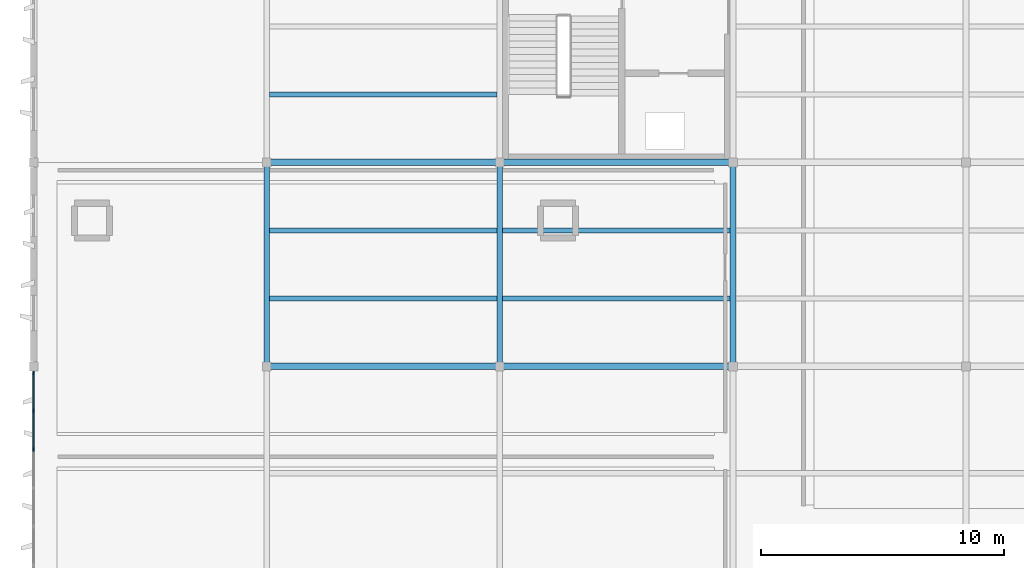
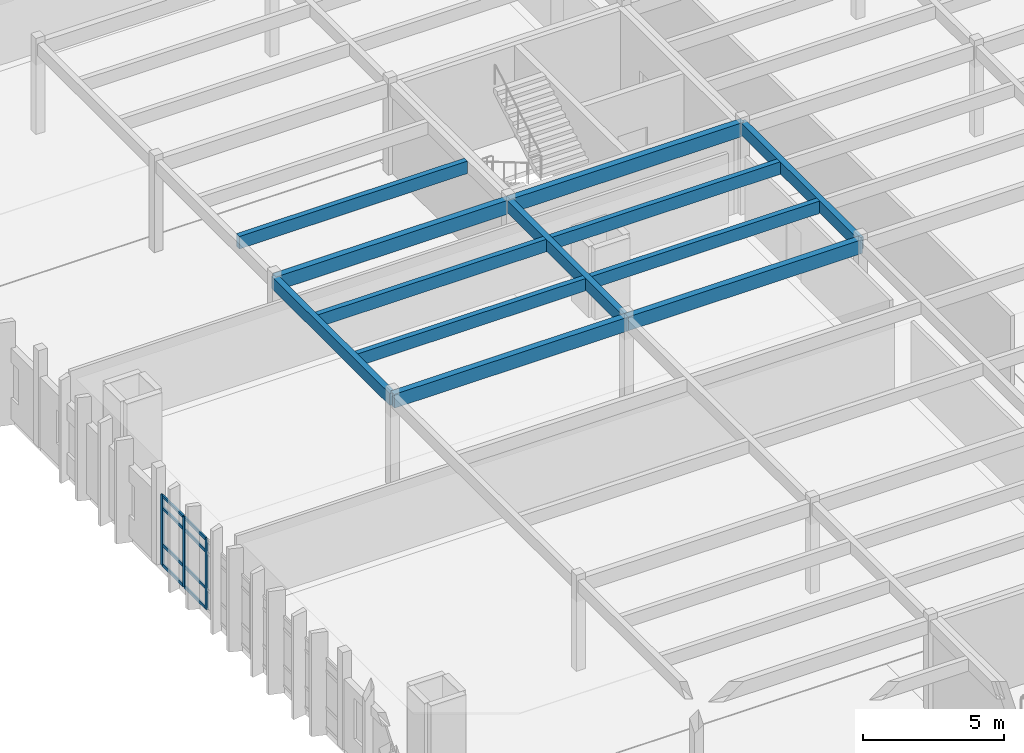
# One storey, part 9 of 61: 12 beams, 11 members, 1 element without a shape of its own.
"""IFC4 building model written with IfcOpenShell, lengths in metres."""

from ifc_helpers import new_model, si_unit, direction, frame, origin, origin_2d, place, context, subcontext, project, spatial, rectangle, extrude, material, layer, layer_set, material_profile, profile_set, type_object, element, aggregate, save


model = new_model("IFC4")

# Units and contexts
model_context = context("Model", 3, precision=1e-05, world=origin(), true_north=direction((0.0, 1.0)))
body_context = subcontext(model_context, "Body", "Model", "MODEL_VIEW")
ifc_project = project(units=[si_unit("LENGTHUNIT", "METRE"), si_unit("AREAUNIT", "SQUARE_METRE"), si_unit("VOLUMEUNIT", "CUBIC_METRE"), si_unit("PLANEANGLEUNIT", "RADIAN"), si_unit("MASSUNIT", "GRAM", prefix="KILO")], contexts=[model_context])

# Site, building, storey
site_placement = place(None, origin())
site = spatial("IfcSite", under=ifc_project, at=site_placement, CompositionType="ELEMENT")
building_placement = place(site_placement, origin())
building = spatial("IfcBuilding", under=site, at=building_placement, Name="Kolvemor Railside Polytechnic", CompositionType="ELEMENT")
storey_placement = place(building_placement, frame((0.0, 0.0, 10.199951171875)))
storey = spatial("IfcBuildingStorey", under=building, at=storey_placement, Name="L02", CompositionType="ELEMENT", Elevation=10.199951171875)

# Beams
ifc_material_1 = material(Name="Glulam GL28h", Category="wood")
ifc_material_profile_1 = material_profile(ifc_material_1, rectangle(XDim=0.264892578125, YDim=0.60009765625, at=origin_2d()), Name="GL265x600")
ifc_profile_set_1 = profile_set([ifc_material_profile_1], Name="Glulam GL28h")
beam_type_1 = type_object("IfcBeamType", Name="BM-GL-GIRD7", PredefinedType="BEAM", material=ifc_profile_set_1)
beam_1_placement = place(storey_placement, frame((9.60009765625, 51.60009765625, 3.650146484375), z_axis=(1.0, 0.0, 0.0), x_axis=(0.0, 1.0, 0.0)))
element("IfcBeam", 1, at=beam_1_placement, inside=storey, type_object=beam_type_1, Name="Primary Girder L03-GX 1113", PredefinedType="BEAM", context=body_context, shape_type="SweptSolid", body=[
    extrude(rectangle(XDim=0.264892578125, YDim=0.60009765625, at=origin_2d()), origin(), (0.0, 0.0, 1.0), 9.599853515625),
])
beam_2_placement = place(storey_placement, frame((19.199951171875, 51.60009765625, 3.650146484375), z_axis=(1.0, 0.0, 0.0), x_axis=(0.0, 1.0, 0.0)))
element("IfcBeam", 2, at=beam_2_placement, inside=storey, type_object=beam_type_1, Name="Primary Girder L03-GX 1114", PredefinedType="BEAM", context=body_context, shape_type="SweptSolid", body=[
    extrude(rectangle(XDim=0.264892578125, YDim=0.60009765625, at=origin_2d()), origin(), (0.0, 0.0, 1.0), 9.60009765625),
])
beam_3_placement = place(storey_placement, frame((9.60009765625, 60.0, 3.650146484375), z_axis=(1.0, 0.0, 0.0), x_axis=(0.0, 1.0, 0.0)))
element("IfcBeam", 3, at=beam_3_placement, inside=storey, type_object=beam_type_1, Name="Primary Girder L03-GX 1117", PredefinedType="BEAM", context=body_context, shape_type="SweptSolid", body=[
    extrude(rectangle(XDim=0.264892578125, YDim=0.60009765625, at=origin_2d()), origin(), (0.0, 0.0, 1.0), 9.599853515625),
])
beam_4_placement = place(storey_placement, frame((19.199951171875, 60.0, 3.650146484375), z_axis=(1.0, 0.0, 0.0), x_axis=(0.0, 1.0, 0.0)))
element("IfcBeam", 4, at=beam_4_placement, inside=storey, type_object=beam_type_1, Name="Primary Girder L03-GX 1118", PredefinedType="BEAM", context=body_context, shape_type="SweptSolid", body=[
    extrude(rectangle(XDim=0.264892578125, YDim=0.60009765625, at=origin_2d()), origin(), (0.0, 0.0, 1.0), 9.60009765625),
])
ifc_material_2 = material(Name="Glulam GL28h", Category="wood")
ifc_material_profile_2 = material_profile(ifc_material_2, rectangle(XDim=0.239990234375, YDim=0.52001953125, at=origin_2d()), Name="GL240x520")
ifc_profile_set_2 = profile_set([ifc_material_profile_2], Name="Glulam GL28h")
beam_type_2 = type_object("IfcBeamType", Name="BM-GL-GIRD8", PredefinedType="BEAM", material=ifc_profile_set_2)
for number, where, z_axis, x_axis, name in (
    (5, (9.60009765625, 51.60009765625, 3.68994140625), (0.0, 1.0, 0.0), (-1.0, 0.0, 0.0), "Primary Girder L03-GY 1133"),
    (6, (19.199951171875, 51.60009765625, 3.68994140625), (0.0, 1.0, 0.0), (-1.0, 0.0, 0.0), "Primary Girder L03-GY 1140"),
    (7, (28.800048828125, 51.60009765625, 3.68994140625), (0.0, 1.0, 0.0), (-1.0, 0.0, 0.0), "Primary Girder L03-GY 1147"),
):
    element("IfcBeam", number, at=place(storey_placement, frame(where, z_axis=z_axis, x_axis=x_axis)), inside=storey, type_object=beam_type_2, Name=name, PredefinedType="BEAM", context=body_context, shape_type="SweptSolid", body=[
        extrude(rectangle(XDim=0.239990234375, YDim=0.52001953125, at=origin_2d()), origin(), (0.0, 0.0, 1.0), 8.39990234375),
    ])
ifc_material_3 = material(Name="Glulam GL28h", Category="wood")
ifc_material_profile_3 = material_profile(ifc_material_3, rectangle(XDim=0.215087890625, YDim=0.5400390625, at=origin_2d()), Name="GL215x540")
ifc_profile_set_3 = profile_set([ifc_material_profile_3], Name="Glulam GL28h")
beam_type_3 = type_object("IfcBeamType", Name="BM-GL-JST1", PredefinedType="JOIST", material=ifc_profile_set_3)
for number, where, z_axis, x_axis, name in (
    (8, (9.719970703125, 54.39990234375, 3.679931640625), (1.0, 0.0, 0.0), (0.0, 1.0, 0.0), "Floor Joist L03-J1172"),
    (9, (9.719970703125, 57.199951171875, 3.679931640625), (1.0, 0.0, 0.0), (0.0, 1.0, 0.0), "Floor Joist L03-J1173"),
    (10, (9.719970703125, 62.800048828125, 3.679931640625), (1.0, 0.0, 0.0), (0.0, 1.0, 0.0), "Floor Joist L03-J1174"),
):
    element("IfcBeam", number, at=place(storey_placement, frame(where, z_axis=z_axis, x_axis=x_axis)), inside=storey, type_object=beam_type_3, Name=name, PredefinedType="JOIST", context=body_context, shape_type="SweptSolid", body=[
        extrude(rectangle(XDim=0.215087890625, YDim=0.5400390625, at=origin_2d()), origin(), (0.0, 0.0, 1.0), 9.360107421875),
    ])
for number, where, z_axis, x_axis, name in (
    (11, (19.320068359375, 54.39990234375, 3.679931640625), (1.0, 0.0, 0.0), (0.0, 1.0, 0.0), "Floor Joist L03-J1184"),
    (12, (19.320068359375, 57.199951171875, 3.679931640625), (1.0, 0.0, 0.0), (0.0, 1.0, 0.0), "Floor Joist L03-J1185"),
):
    element("IfcBeam", number, at=place(storey_placement, frame(where, z_axis=z_axis, x_axis=x_axis)), inside=storey, type_object=beam_type_3, Name=name, PredefinedType="JOIST", context=body_context, shape_type="SweptSolid", body=[
        extrude(rectangle(XDim=0.215087890625, YDim=0.5400390625, at=origin_2d()), origin(), (0.0, 0.0, 1.0), 9.35986328125),
    ])

# Curtain wall, members
ifc_material_4 = material(Name="Anodised marine aluminium and laminated low-E glass", Category="aluminium")
ifc_layer = layer(ifc_material_4, 0.179931640625, Name="CW-UNIT-STD")
ifc_layer_set = layer_set([ifc_layer], Name="Anodised marine aluminium and laminated low-E glass")
curtain_wall_type = type_object("IfcCurtainWallType", Name="CW-UNIT-STD", PredefinedType="USERDEFINED", material=ifc_layer_set)
curtain_wall_placement = place(storey_placement, origin())
curtain_wall = element("IfcCurtainWall", 13, at=curtain_wall_placement, inside=storey, type_object=curtain_wall_type, Name="Curtain Wall L02-054", ObjectType="UNITISED CURTAIN WALL", PredefinedType="USERDEFINED")
ifc_material_5 = material(Name="Anodised marine aluminium 6063-T6", Category="aluminium")
ifc_material_profile_4 = material_profile(ifc_material_5, rectangle(XDim=0.06494140625, YDim=0.14990234375, at=origin_2d()), Name="CW-MUL-65x150")
ifc_profile_set_4 = profile_set([ifc_material_profile_4], Name="Anodised marine aluminium 6063-T6")
member_type_1 = type_object("IfcMemberType", Name="CWM-65x150", PredefinedType="MULLION", material=ifc_profile_set_4)
member_1_placement = place(storey_placement, frame((0.0, 51.327392578125, 0.0), z_axis=(0.0, 0.0, 1.0), x_axis=(1.0, 0.0, 0.0)))
member_1 = element("IfcMember", 14, at=member_1_placement, type_object=member_type_1, Name="CW-STD mullion 1", PredefinedType="MULLION", context=body_context, shape_type="SweptSolid", body=[
    extrude(rectangle(XDim=0.06494140625, YDim=0.14990234375, at=origin_2d()), origin(), (0.0, 0.0, 1.0), 3.050048828125),
])
member_2_placement = place(storey_placement, frame((0.0, 49.77001953125, 0.0), z_axis=(0.0, 0.0, 1.0), x_axis=(1.0, 0.0, 0.0)))
member_2 = element("IfcMember", 15, at=member_2_placement, type_object=member_type_1, Name="CW-STD mullion 2", PredefinedType="MULLION", context=body_context, shape_type="SweptSolid", body=[
    extrude(rectangle(XDim=0.06494140625, YDim=0.14990234375, at=origin_2d()), origin(), (0.0, 0.0, 1.0), 3.050048828125),
])
member_3_placement = place(storey_placement, frame((0.0, 48.179931640625, 0.0), z_axis=(0.0, 0.0, 1.0), x_axis=(1.0, 0.0, 0.0)))
member_3 = element("IfcMember", 16, at=member_3_placement, type_object=member_type_1, Name="CW-STD mullion 3", PredefinedType="MULLION", context=body_context, shape_type="SweptSolid", body=[
    extrude(rectangle(XDim=0.06494140625, YDim=0.14990234375, at=origin_2d()), origin(), (0.0, 0.0, 1.0), 3.050048828125),
])
ifc_material_6 = material(Name="Anodised marine aluminium 6063-T6", Category="aluminium")
ifc_material_profile_5 = material_profile(ifc_material_6, rectangle(XDim=0.06494140625, YDim=0.1201171875, at=origin_2d()), Name="CW-TRN-65x120")
ifc_profile_set_5 = profile_set([ifc_material_profile_5], Name="Anodised marine aluminium 6063-T6")
member_type_2 = type_object("IfcMemberType", Name="CWT-65x120", PredefinedType="USERDEFINED", material=ifc_profile_set_5)
member_4_placement = place(storey_placement, frame((0.0, 51.294921875, 0.032470703125), z_axis=(0.0, -1.0, 0.0), x_axis=(1.0, 0.0, 0.0)))
member_4 = element("IfcMember", 17, at=member_4_placement, type_object=member_type_2, Name="CW-STD transom 1.1", ObjectType="TRANSOM", PredefinedType="USERDEFINED", context=body_context, shape_type="SweptSolid", body=[
    extrude(rectangle(XDim=0.06494140625, YDim=0.1201171875, at=origin_2d()), origin(), (0.0, 0.0, 1.0), 1.492431640625),
])
member_5_placement = place(storey_placement, frame((0.0, 51.294921875, 0.900146484375), z_axis=(0.0, -1.0, 0.0), x_axis=(1.0, 0.0, 0.0)))
member_5 = element("IfcMember", 18, at=member_5_placement, type_object=member_type_2, Name="CW-STD transom 1.2", ObjectType="TRANSOM", PredefinedType="USERDEFINED", context=body_context, shape_type="SweptSolid", body=[
    extrude(rectangle(XDim=0.06494140625, YDim=0.1201171875, at=origin_2d()), origin(), (0.0, 0.0, 1.0), 1.492431640625),
])
member_6_placement = place(storey_placement, frame((0.0, 51.294921875, 2.5), z_axis=(0.0, -1.0, 0.0), x_axis=(1.0, 0.0, 0.0)))
member_6 = element("IfcMember", 19, at=member_6_placement, type_object=member_type_2, Name="CW-STD transom 1.3", ObjectType="TRANSOM", PredefinedType="USERDEFINED", context=body_context, shape_type="SweptSolid", body=[
    extrude(rectangle(XDim=0.06494140625, YDim=0.1201171875, at=origin_2d()), origin(), (0.0, 0.0, 1.0), 1.492431640625),
])
member_7_placement = place(storey_placement, frame((0.0, 51.294921875, 3.017578125), z_axis=(0.0, -1.0, 0.0), x_axis=(1.0, 0.0, 0.0)))
member_7 = element("IfcMember", 20, at=member_7_placement, type_object=member_type_2, Name="CW-STD transom 1.4", ObjectType="TRANSOM", PredefinedType="USERDEFINED", context=body_context, shape_type="SweptSolid", body=[
    extrude(rectangle(XDim=0.06494140625, YDim=0.1201171875, at=origin_2d()), origin(), (0.0, 0.0, 1.0), 1.492431640625),
])
member_8_placement = place(storey_placement, frame((0.0, 49.737548828125, 0.032470703125), z_axis=(0.0, -1.0, 0.0), x_axis=(1.0, 0.0, 0.0)))
member_8 = element("IfcMember", 21, at=member_8_placement, type_object=member_type_2, Name="CW-STD transom 2.1", ObjectType="TRANSOM", PredefinedType="USERDEFINED", context=body_context, shape_type="SweptSolid", body=[
    extrude(rectangle(XDim=0.06494140625, YDim=0.1201171875, at=origin_2d()), origin(), (0.0, 0.0, 1.0), 1.525146484375),
])
member_9_placement = place(storey_placement, frame((0.0, 49.737548828125, 0.900146484375), z_axis=(0.0, -1.0, 0.0), x_axis=(1.0, 0.0, 0.0)))
member_9 = element("IfcMember", 22, at=member_9_placement, type_object=member_type_2, Name="CW-STD transom 2.2", ObjectType="TRANSOM", PredefinedType="USERDEFINED", context=body_context, shape_type="SweptSolid", body=[
    extrude(rectangle(XDim=0.06494140625, YDim=0.1201171875, at=origin_2d()), origin(), (0.0, 0.0, 1.0), 1.525146484375),
])
member_10_placement = place(storey_placement, frame((0.0, 49.737548828125, 2.5), z_axis=(0.0, -1.0, 0.0), x_axis=(1.0, 0.0, 0.0)))
member_10 = element("IfcMember", 23, at=member_10_placement, type_object=member_type_2, Name="CW-STD transom 2.3", ObjectType="TRANSOM", PredefinedType="USERDEFINED", context=body_context, shape_type="SweptSolid", body=[
    extrude(rectangle(XDim=0.06494140625, YDim=0.1201171875, at=origin_2d()), origin(), (0.0, 0.0, 1.0), 1.525146484375),
])
member_11_placement = place(storey_placement, frame((0.0, 49.737548828125, 3.017578125), z_axis=(0.0, -1.0, 0.0), x_axis=(1.0, 0.0, 0.0)))
member_11 = element("IfcMember", 24, at=member_11_placement, type_object=member_type_2, Name="CW-STD transom 2.4", ObjectType="TRANSOM", PredefinedType="USERDEFINED", context=body_context, shape_type="SweptSolid", body=[
    extrude(rectangle(XDim=0.06494140625, YDim=0.1201171875, at=origin_2d()), origin(), (0.0, 0.0, 1.0), 1.525146484375),
])
aggregate(curtain_wall, [member_1, member_2, member_3, member_4, member_5, member_6, member_7, member_8, member_9, member_10, member_11])

save(model, "model.ifc")
